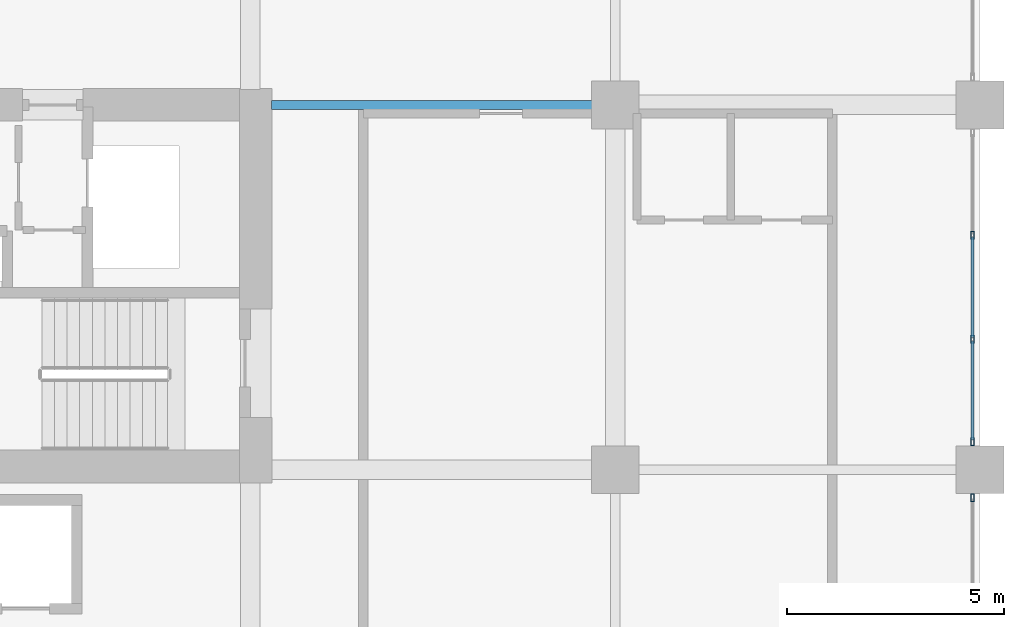
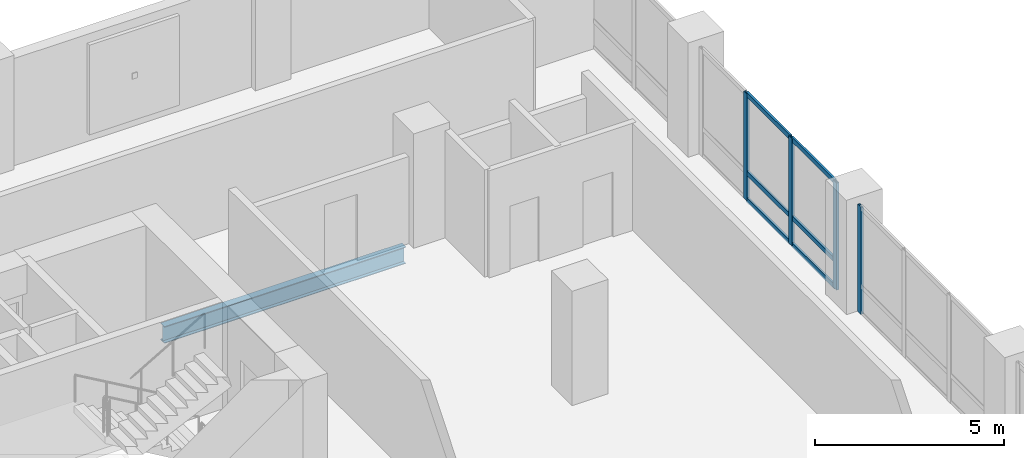
# One storey, part 6 of 22: 10 members, 1 beam, 2 elements without a shape of their own.
"""IFC4 building model written with IfcOpenShell, lengths in metres."""

from ifc_helpers import new_model, si_unit, direction, frame, origin, origin_2d, place, context, subcontext, project, spatial, hollow_rectangle, i_section, extrude, material, layer, layer_set, material_profile, profile_set, type_object, element, aggregate, save


model = new_model("IFC4")

# Units and contexts
model_context = context("Model", 3, precision=1e-05, world=origin(), true_north=direction((0.0, 1.0)))
body_context = subcontext(model_context, "Body", "Model", "MODEL_VIEW")
ifc_project = project(units=[si_unit("LENGTHUNIT", "METRE"), si_unit("AREAUNIT", "SQUARE_METRE"), si_unit("VOLUMEUNIT", "CUBIC_METRE"), si_unit("PLANEANGLEUNIT", "RADIAN"), si_unit("MASSUNIT", "GRAM", prefix="KILO")], contexts=[model_context])

# Site, building, storey
site_placement = place(None, origin())
site = spatial("IfcSite", under=ifc_project, at=site_placement, CompositionType="ELEMENT")
building_placement = place(site_placement, origin())
building = spatial("IfcBuilding", under=site, at=building_placement, Name="Koriwani Terraces Tower", CompositionType="ELEMENT")
storey_placement = place(building_placement, frame((0.0, 0.0, 168.0)))
storey = spatial("IfcBuildingStorey", under=building, at=storey_placement, Name="L40", CompositionType="ELEMENT", Elevation=168.0)

# Curtain wall, members
ifc_material_1 = material(Name="Anodised Bronze Aluminium", Category="aluminium")
ifc_layer = layer(ifc_material_1, 0.169921875, Name="Anodised Bronze Aluminium")
ifc_layer_set = layer_set([ifc_layer], Name="Anodised Bronze Aluminium")
curtain_wall_type = type_object("IfcCurtainWallType", Name="CW_RES_ZONE3", PredefinedType="NOTDEFINED", material=ifc_layer_set)
curtain_wall_1_placement = place(storey_placement, origin())
curtain_wall_1 = element("IfcCurtainWall", 1, at=curtain_wall_1_placement, inside=storey, type_object=curtain_wall_type, Name="L40 Unitised Curtain Wall (E_TIP) Bay 2", PredefinedType="NOTDEFINED")
ifc_material_profile_1 = material_profile(ifc_material_1, hollow_rectangle(XDim=0.074951171875, YDim=0.179931640625, WallThickness=0.006103515625, at=origin_2d()), Name="Anodised Bronze Aluminium", Category="LoadBearing")
ifc_profile_set_1 = profile_set([ifc_material_profile_1], Name="Anodised Bronze Aluminium")
member_type_1 = type_object("IfcMemberType", Name="CW_MULLION_180X75", PredefinedType="MULLION", material=ifc_profile_set_1)
member_1_placement = place(storey_placement, frame((75.425048828125, 22.19677734375, 0.0), z_axis=(0.0, 0.0, 1.0), x_axis=(1.0, 0.0, 0.0)))
member_1 = element("IfcMember", 2, at=member_1_placement, type_object=member_type_1, Name="CW-Z3 mullion 2", PredefinedType="MULLION", context=body_context, shape_type="SweptSolid", body=[
    extrude(hollow_rectangle(XDim=0.074951171875, YDim=0.179931640625, WallThickness=0.006103515625, at=origin_2d()), origin(), (0.0, 0.0, 1.0), 3.469970703125),
])
member_2_placement = place(storey_placement, frame((75.425048828125, 19.80322265625, 0.0), z_axis=(0.0, 0.0, 1.0), x_axis=(1.0, 0.0, 0.0)))
member_2 = element("IfcMember", 3, at=member_2_placement, type_object=member_type_1, Name="CW-Z3 mullion 3", PredefinedType="MULLION", context=body_context, shape_type="SweptSolid", body=[
    extrude(hollow_rectangle(XDim=0.074951171875, YDim=0.179931640625, WallThickness=0.006103515625, at=origin_2d()), origin(), (0.0, 0.0, 1.0), 3.469970703125),
])
member_3_placement = place(storey_placement, frame((75.425048828125, 17.447509765625, 0.0), z_axis=(0.0, 0.0, 1.0), x_axis=(1.0, 0.0, 0.0)))
member_3 = element("IfcMember", 4, at=member_3_placement, type_object=member_type_1, Name="CW-Z3 mullion 4", PredefinedType="MULLION", context=body_context, shape_type="SweptSolid", body=[
    extrude(hollow_rectangle(XDim=0.074951171875, YDim=0.179931640625, WallThickness=0.006103515625, at=origin_2d()), origin(), (0.0, 0.0, 1.0), 3.469970703125),
])

# Curtain wall, member
curtain_wall_2_placement = place(storey_placement, origin())
curtain_wall_2 = element("IfcCurtainWall", 5, at=curtain_wall_2_placement, inside=storey, type_object=curtain_wall_type, Name="L40 Unitised Curtain Wall (E_TIP) Bay 3", PredefinedType="NOTDEFINED")
member_4_placement = place(storey_placement, frame((75.425048828125, 16.152587890625, 0.0), z_axis=(0.0, 0.0, 1.0), x_axis=(1.0, 0.0, 0.0)))
member_4 = element("IfcMember", 6, at=member_4_placement, type_object=member_type_1, Name="CW-Z3 mullion 1", PredefinedType="MULLION", context=body_context, shape_type="SweptSolid", body=[
    extrude(hollow_rectangle(XDim=0.074951171875, YDim=0.179931640625, WallThickness=0.006103515625, at=origin_2d()), origin(), (0.0, 0.0, 1.0), 3.469970703125),
])
aggregate(curtain_wall_2, [member_4])

# Member
ifc_material_profile_2 = material_profile(ifc_material_1, hollow_rectangle(XDim=0.06494140625, YDim=0.14990234375, WallThickness=0.0048828125, at=origin_2d()), Name="Anodised Bronze Aluminium", Category="LoadBearing")
ifc_profile_set_2 = profile_set([ifc_material_profile_2], Name="Anodised Bronze Aluminium")
member_type_2 = type_object("IfcMemberType", Name="CW_TRANSOM_150X65", PredefinedType="USERDEFINED", material=ifc_profile_set_2)
member_5_placement = place(storey_placement, frame((75.425048828125, 22.1591796875, 0.032470703125), z_axis=(0.0, -1.0, 0.0), x_axis=(1.0, 0.0, 0.0)))
member_5 = element("IfcMember", 7, at=member_5_placement, type_object=member_type_2, Name="CW-Z3 transom 2.1", ObjectType="TRANSOM", PredefinedType="USERDEFINED", context=body_context, shape_type="SweptSolid", body=[
    extrude(hollow_rectangle(XDim=0.06494140625, YDim=0.14990234375, WallThickness=0.0048828125, at=origin_2d()), origin(), (0.0, 0.0, 1.0), 2.318359375),
])

member_6_placement = place(storey_placement, frame((75.425048828125, 22.1591796875, 0.89990234375), z_axis=(0.0, -1.0, 0.0), x_axis=(1.0, 0.0, 0.0)))
member_6 = element("IfcMember", 8, at=member_6_placement, type_object=member_type_2, Name="CW-Z3 transom 2.2", ObjectType="TRANSOM", PredefinedType="USERDEFINED", context=body_context, shape_type="SweptSolid", body=[
    extrude(hollow_rectangle(XDim=0.06494140625, YDim=0.14990234375, WallThickness=0.0048828125, at=origin_2d()), origin(), (0.0, 0.0, 1.0), 2.318359375),
])

member_7_placement = place(storey_placement, frame((75.425048828125, 22.1591796875, 3.4375), z_axis=(0.0, -1.0, 0.0), x_axis=(1.0, 0.0, 0.0)))
member_7 = element("IfcMember", 9, at=member_7_placement, type_object=member_type_2, Name="CW-Z3 transom 2.3", ObjectType="TRANSOM", PredefinedType="USERDEFINED", context=body_context, shape_type="SweptSolid", body=[
    extrude(hollow_rectangle(XDim=0.06494140625, YDim=0.14990234375, WallThickness=0.0048828125, at=origin_2d()), origin(), (0.0, 0.0, 1.0), 2.318359375),
])

member_8_placement = place(storey_placement, frame((75.425048828125, 19.765869140625, 0.032470703125), z_axis=(0.0, -1.0, 0.0), x_axis=(1.0, 0.0, 0.0)))
member_8 = element("IfcMember", 10, at=member_8_placement, type_object=member_type_2, Name="CW-Z3 transom 3.1", ObjectType="TRANSOM", PredefinedType="USERDEFINED", context=body_context, shape_type="SweptSolid", body=[
    extrude(hollow_rectangle(XDim=0.06494140625, YDim=0.14990234375, WallThickness=0.0048828125, at=origin_2d()), origin(), (0.0, 0.0, 1.0), 2.28076171875),
])

member_9_placement = place(storey_placement, frame((75.425048828125, 19.765869140625, 0.89990234375), z_axis=(0.0, -1.0, 0.0), x_axis=(1.0, 0.0, 0.0)))
member_9 = element("IfcMember", 11, at=member_9_placement, type_object=member_type_2, Name="CW-Z3 transom 3.2", ObjectType="TRANSOM", PredefinedType="USERDEFINED", context=body_context, shape_type="SweptSolid", body=[
    extrude(hollow_rectangle(XDim=0.06494140625, YDim=0.14990234375, WallThickness=0.0048828125, at=origin_2d()), origin(), (0.0, 0.0, 1.0), 2.28076171875),
])

member_10_placement = place(storey_placement, frame((75.425048828125, 19.765869140625, 3.4375), z_axis=(0.0, -1.0, 0.0), x_axis=(1.0, 0.0, 0.0)))
member_10 = element("IfcMember", 12, at=member_10_placement, type_object=member_type_2, Name="CW-Z3 transom 3.3", ObjectType="TRANSOM", PredefinedType="USERDEFINED", context=body_context, shape_type="SweptSolid", body=[
    extrude(hollow_rectangle(XDim=0.06494140625, YDim=0.14990234375, WallThickness=0.0048828125, at=origin_2d()), origin(), (0.0, 0.0, 1.0), 2.28076171875),
])

aggregate(curtain_wall_1, [member_1, member_2, member_3, member_5, member_6, member_7, member_8, member_9, member_10])

# Beam
ifc_material_2 = material(Name="Steel ASTM A572 Grade 50", Category="steel")
ifc_material_profile_3 = material_profile(ifc_material_2, i_section(OverallWidth=0.2119140625, OverallDepth=0.54296875, WebThickness=0.0126953125, FlangeThickness=0.021240234375, at=origin_2d()), Name="Steel ASTM A572 Grade 50", Category="LoadBearing")
ifc_profile_set_3 = profile_set([ifc_material_profile_3], Name="Steel ASTM A572 Grade 50")
beam_type = type_object("IfcBeamType", Name="STEEL_BEAM_W530X150", PredefinedType="BEAM", material=ifc_profile_set_3)
beam_placement = place(storey_placement, frame((59.280029296875, 25.199951171875, -0.50146484375), z_axis=(1.0, 0.0, 0.0), x_axis=(0.0, 1.0, 0.0)))
element("IfcBeam", 13, at=beam_placement, inside=storey, type_object=beam_type, Name="L40 Grid Beam D (58.8-67.2m)", PredefinedType="BEAM", context=body_context, shape_type="SweptSolid", body=[
    extrude(i_section(OverallWidth=0.2119140625, OverallDepth=0.54296875, WebThickness=0.0126953125, FlangeThickness=0.021240234375, at=origin_2d()), origin(), (0.0, 0.0, 1.0), 7.389892578125),
])

save(model, "model.ifc")
